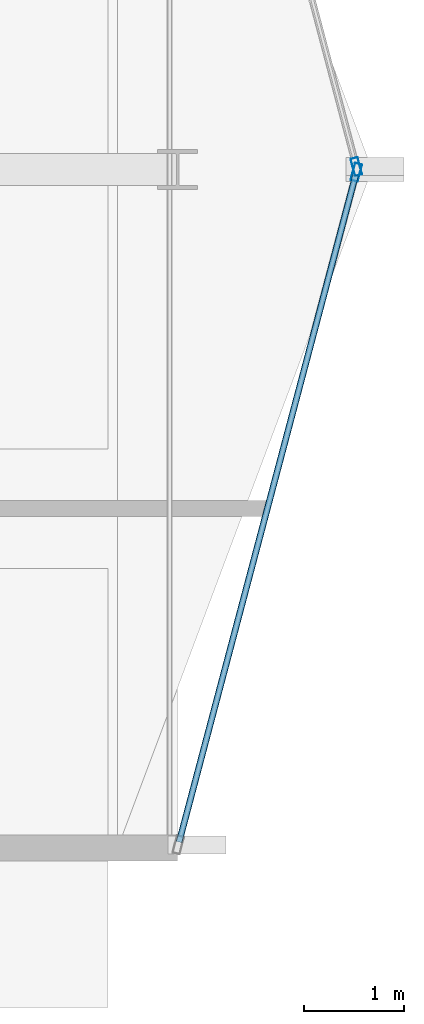
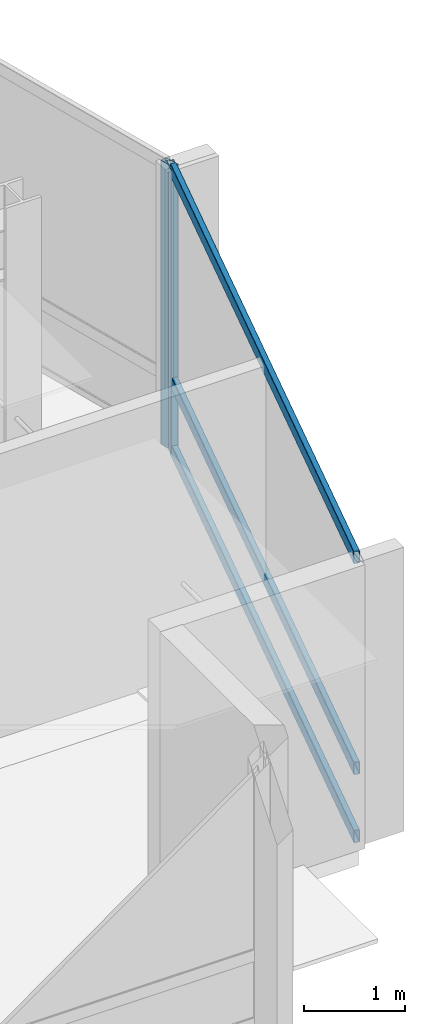
# One storey, part 11 of 28: 5 members, 2 elements without a shape of their own.
"""IFC4 building model written with IfcOpenShell, lengths in metres."""

from ifc_helpers import new_model, si_unit, direction, frame, origin, origin_2d, place, context, subcontext, project, spatial, hollow_rectangle, extrude, material, layer, layer_set, material_profile, profile_set, type_object, element, aggregate, save


model = new_model("IFC4")

# Units and contexts
model_context = context("Model", 3, precision=1e-05, world=origin(), true_north=direction((0.0, 1.0)))
body_context = subcontext(model_context, "Body", "Model", "MODEL_VIEW")
ifc_project = project(units=[si_unit("LENGTHUNIT", "METRE"), si_unit("AREAUNIT", "SQUARE_METRE"), si_unit("VOLUMEUNIT", "CUBIC_METRE"), si_unit("PLANEANGLEUNIT", "RADIAN"), si_unit("MASSUNIT", "GRAM", prefix="KILO")], contexts=[model_context])

# Site, building, storey
site_placement = place(None, origin())
site = spatial("IfcSite", under=ifc_project, at=site_placement, CompositionType="ELEMENT")
building_placement = place(site_placement, origin())
building = spatial("IfcBuilding", under=site, at=building_placement, Name="Solvaryn Broadcast Tower", CompositionType="ELEMENT")
storey_placement = place(building_placement, frame((0.0, 0.0, 206.199951171875)))
storey = spatial("IfcBuildingStorey", under=building, at=storey_placement, Name="L51", CompositionType="ELEMENT", Elevation=206.199951171875)

# Curtain wall, member
ifc_material_1 = material(Name="Aluminium and Terracotta Unitised Curtain Wall", Category="masonry")
ifc_layer = layer(ifc_material_1, 0.199951171875)
ifc_layer_set = layer_set([ifc_layer], Name="CW-SYS2-LOWMID")
curtain_wall_type = type_object("IfcCurtainWallType", Name="CW-SYS2-LOWMID", PredefinedType="NOTDEFINED", material=ifc_layer_set)
curtain_wall_1_placement = place(storey_placement, origin())
curtain_wall_1 = element("IfcCurtainWall", 1, at=curtain_wall_1_placement, inside=storey, type_object=curtain_wall_type, Name="L51 Curtain Wall ET1", PredefinedType="NOTDEFINED")
ifc_material_2 = material(Name="Anodised Aluminium 6063-T6", Category="aluminium")
ifc_material_profile_1 = material_profile(ifc_material_2, hollow_rectangle(XDim=0.074951171875, YDim=0.179931640625, WallThickness=0.00390625, InnerFilletRadius=0.00390625, OuterFilletRadius=0.008056640625, at=origin_2d()))
ifc_profile_set_1 = profile_set([ifc_material_profile_1], Name="Anodised Aluminium 6063-T6")
member_type_1 = type_object("IfcMemberType", Name="CW-MUL-180", PredefinedType="MULLION", material=ifc_profile_set_1)
member_1_placement = place(storey_placement, frame((55.792236328125, 18.029052734375, 0.0), z_axis=(0.0, 0.0, 1.0), x_axis=(0.966705227863, 0.25589256031, 0.0)))
member_1 = element("IfcMember", 2, at=member_1_placement, type_object=member_type_1, Name="CWS2 mullion 2", PredefinedType="MULLION", context=body_context, shape_type="SweptSolid", body=[
    extrude(hollow_rectangle(XDim=0.074951171875, YDim=0.179931640625, WallThickness=0.00390625, InnerFilletRadius=0.00390625, OuterFilletRadius=0.008056640625, at=origin_2d()), origin(), (0.0, 0.0, 1.0), 3.420166015625),
])
aggregate(curtain_wall_1, [member_1])

# Curtain wall, members
curtain_wall_2_placement = place(storey_placement, origin())
curtain_wall_2 = element("IfcCurtainWall", 3, at=curtain_wall_2_placement, inside=storey, type_object=curtain_wall_type, Name="L51 Curtain Wall ET2", PredefinedType="NOTDEFINED")
member_2_placement = place(storey_placement, frame((55.792236328125, 17.970947265625, 0.0), z_axis=(0.0, 0.0, 1.0), x_axis=(0.966705227863, -0.25589256031, 0.0)))
member_2 = element("IfcMember", 4, at=member_2_placement, type_object=member_type_1, Name="CWS2 mullion 1", PredefinedType="MULLION", context=body_context, shape_type="SweptSolid", body=[
    extrude(hollow_rectangle(XDim=0.074951171875, YDim=0.179931640625, WallThickness=0.00390625, InnerFilletRadius=0.00390625, OuterFilletRadius=0.008056640625, at=origin_2d()), origin(), (0.0, 0.0, 1.0), 3.420166015625),
])
ifc_material_3 = material(Name="Anodised Aluminium 6063-T6", Category="aluminium")
ifc_material_profile_2 = material_profile(ifc_material_3, hollow_rectangle(XDim=0.06494140625, YDim=0.14990234375, WallThickness=0.00390625, InnerFilletRadius=0.00390625, OuterFilletRadius=0.008056640625, at=origin_2d()))
ifc_profile_set_2 = profile_set([ifc_material_profile_2], Name="Anodised Aluminium 6063-T6")
member_type_2 = type_object("IfcMemberType", Name="CW-TRN-150", PredefinedType="USERDEFINED", material=ifc_profile_set_2)
member_3_placement = place(storey_placement, frame((55.78466796875, 17.94189453125, 0.030029296875), z_axis=(-0.255897413051, -0.966703943301, 0.0), x_axis=(0.966703943301, -0.255897413051, 0.0)))
member_3 = element("IfcMember", 5, at=member_3_placement, type_object=member_type_2, Name="CWS2 transom 1.1", ObjectType="TRANSOM", PredefinedType="USERDEFINED", context=body_context, shape_type="SweptSolid", body=[
    extrude(hollow_rectangle(XDim=0.06494140625, YDim=0.14990234375, WallThickness=0.00390625, InnerFilletRadius=0.00390625, OuterFilletRadius=0.008056640625, at=origin_2d()), origin(), (0.0, 0.0, 1.0), 6.9140625),
])
member_4_placement = place(storey_placement, frame((55.78466796875, 17.94189453125, 0.85009765625), z_axis=(-0.255897413051, -0.966703943301, 0.0), x_axis=(0.966703943301, -0.255897413051, 0.0)))
member_4 = element("IfcMember", 6, at=member_4_placement, type_object=member_type_2, Name="CWS2 transom 1.2", ObjectType="TRANSOM", PredefinedType="USERDEFINED", context=body_context, shape_type="SweptSolid", body=[
    extrude(hollow_rectangle(XDim=0.06494140625, YDim=0.14990234375, WallThickness=0.00390625, InnerFilletRadius=0.00390625, OuterFilletRadius=0.008056640625, at=origin_2d()), origin(), (0.0, 0.0, 1.0), 6.9140625),
])
member_5_placement = place(storey_placement, frame((55.78466796875, 17.94189453125, 3.39013671875), z_axis=(-0.255897413051, -0.966703943301, 0.0), x_axis=(0.966703943301, -0.255897413051, 0.0)))
member_5 = element("IfcMember", 7, at=member_5_placement, type_object=member_type_2, Name="CWS2 transom 1.3", ObjectType="TRANSOM", PredefinedType="USERDEFINED", context=body_context, shape_type="SweptSolid", body=[
    extrude(hollow_rectangle(XDim=0.06494140625, YDim=0.14990234375, WallThickness=0.00390625, InnerFilletRadius=0.00390625, OuterFilletRadius=0.008056640625, at=origin_2d()), origin(), (0.0, 0.0, 1.0), 6.9140625),
])
aggregate(curtain_wall_2, [member_2, member_3, member_4, member_5])

save(model, "model.ifc")
